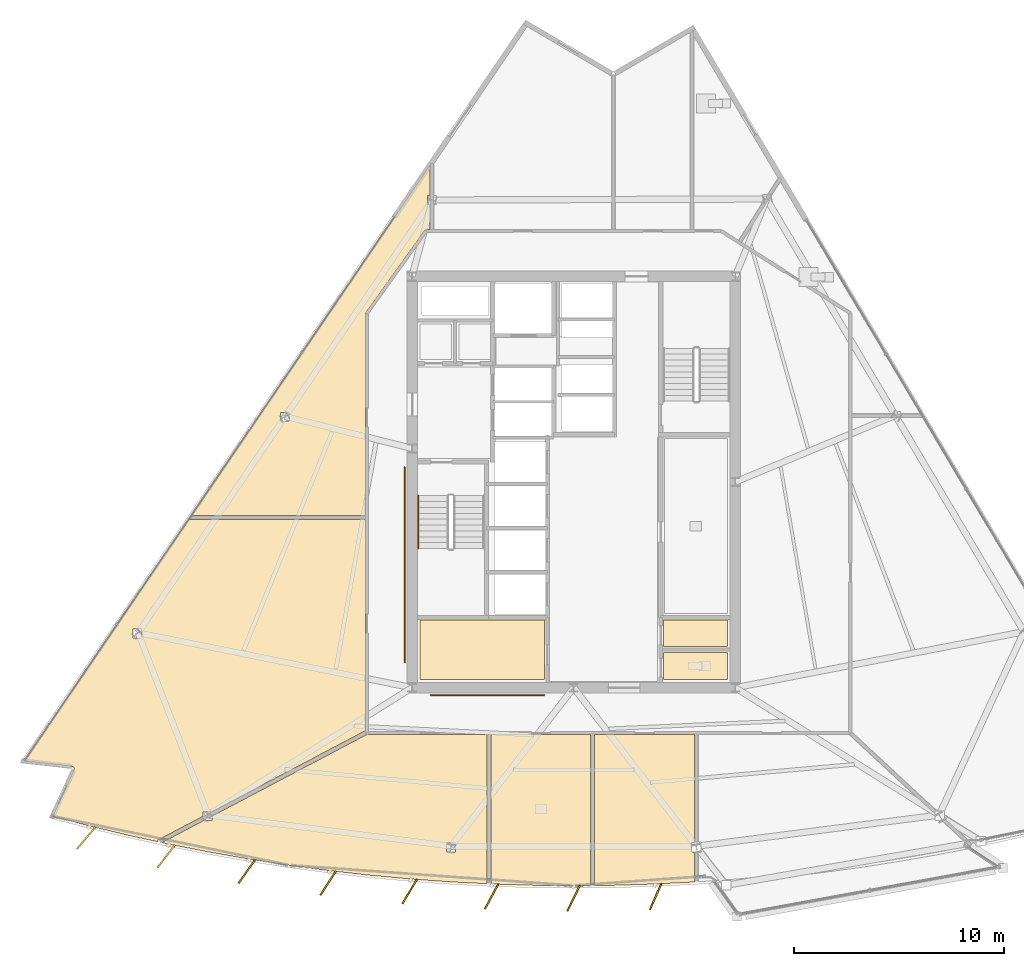
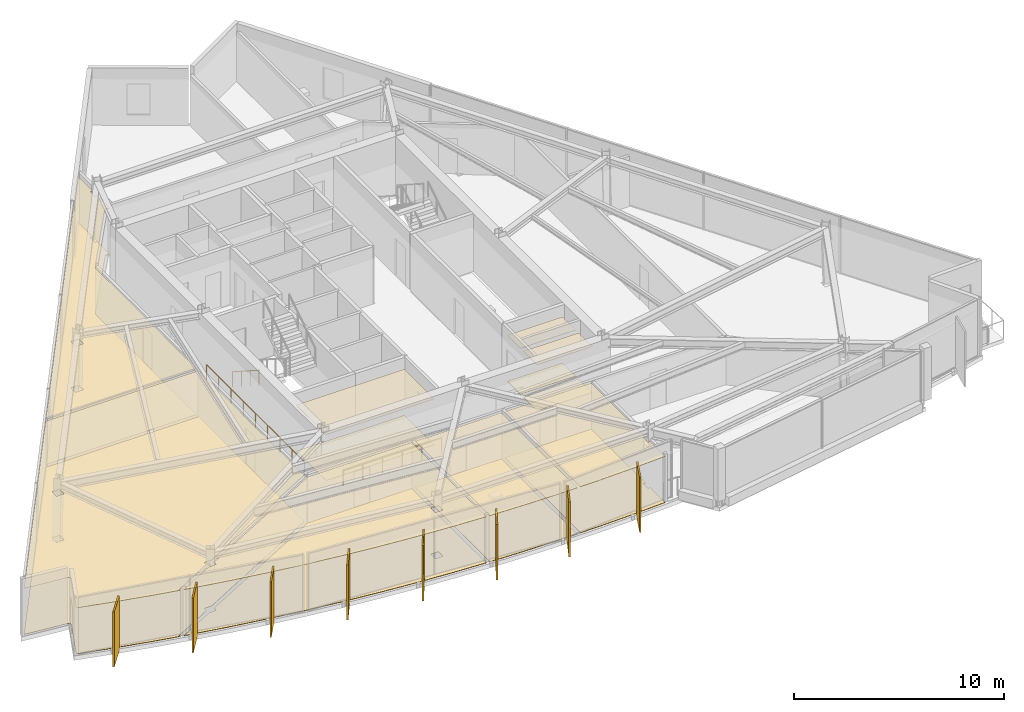
# One storey, part 9 of 12: 16 coverings, 8 shading devices, 3 railings.
"""IFC4 building model written with IfcOpenShell, lengths in metres."""

from ifc_helpers import new_model, si_unit, direction, frame, origin, origin_2d, place, context, subcontext, project, spatial, polyline, rectangle, circle, outline, extrude, material, layer, layer_set, type_object, element, save


model = new_model("IFC4")

# Units and contexts
model_context = context("Model", 3, precision=1e-05, world=origin(), true_north=direction((0.0, 1.0)))
body_context = subcontext(model_context, "Body", "Model", "MODEL_VIEW")
ifc_project = project(units=[si_unit("LENGTHUNIT", "METRE"), si_unit("AREAUNIT", "SQUARE_METRE"), si_unit("VOLUMEUNIT", "CUBIC_METRE"), si_unit("PLANEANGLEUNIT", "RADIAN"), si_unit("MASSUNIT", "GRAM", prefix="KILO")], contexts=[model_context])

# Site, building, storey
site_placement = place(None, origin())
site = spatial("IfcSite", under=ifc_project, at=site_placement, CompositionType="ELEMENT")
building_placement = place(site_placement, origin())
building = spatial("IfcBuilding", under=site, at=building_placement, Name="Savorim Split Tower", CompositionType="ELEMENT")
storey_placement = place(building_placement, frame((0.0, 0.0, 171.0)))
storey = spatial("IfcBuildingStorey", under=building, at=storey_placement, Name="L45", CompositionType="ELEMENT", Elevation=171.0)

# Coverings
ifc_material_1 = material(Name="Mineral Fibre Acoustic Ceiling")
ifc_layer_1 = layer(ifc_material_1, 0.02490234375)
ifc_layer_set_1 = layer_set([ifc_layer_1], Name="COV-CEIL-25")
covering_type_1 = type_object("IfcCoveringType", Name="COV-CEIL-25", PredefinedType="CEILING", material=ifc_layer_set_1)
covering_1_placement = place(storey_placement, frame((0.0, 0.0, 2.669921875)))
element("IfcCovering", 1, at=covering_1_placement, inside=storey, type_object=covering_type_1, Name="L45 Housekeeping Store Acoustic Ceiling", PredefinedType="CEILING", context=body_context, shape_type="SweptSolid", body=[
    extrude(outline(polyline([(-7.320068359375, -6.179931640625), (-7.320068359375, -9.02001953125), (-1.3798828125, -9.02001953125), (-1.3798828125, -6.179931640625), (-7.320068359375, -6.179931640625)])), origin(), (0.0, 0.0, 1.0), 0.025146484375),
])
covering_2_placement = place(storey_placement, frame((0.0, 0.0, 2.669921875)))
element("IfcCovering", 2, at=covering_2_placement, inside=storey, type_object=covering_type_1, Name="L45 Accessible WC Acoustic Ceiling", PredefinedType="CEILING", context=body_context, shape_type="SweptSolid", body=[
    extrude(outline(polyline([(4.280029296875, -7.719970703125), (4.280029296875, -9.02001953125), (7.320068359375, -9.02001953125), (7.320068359375, -7.719970703125), (4.280029296875, -7.719970703125)])), origin(), (0.0, 0.0, 1.0), 0.025146484375),
])
covering_3_placement = place(storey_placement, frame((0.0, 0.0, 2.669921875)))
element("IfcCovering", 3, at=covering_3_placement, inside=storey, type_object=covering_type_1, Name="L45 Cleaning Store Acoustic Ceiling", PredefinedType="CEILING", context=body_context, shape_type="SweptSolid", body=[
    extrude(outline(polyline([(4.280029296875, -6.179931640625), (4.280029296875, -7.43994140625), (7.320068359375, -7.43994140625), (7.320068359375, -6.179931640625), (4.280029296875, -6.179931640625)])), origin(), (0.0, 0.0, 1.0), 0.025146484375),
])
covering_4_placement = place(storey_placement, frame((0.0, 0.0, 2.669921875)))
element("IfcCovering", 4, at=covering_4_placement, inside=storey, type_object=covering_type_1, Name="L45 Maker Workshop Acoustic Ceiling", PredefinedType="CEILING", context=body_context, shape_type="SweptSolid", body=[
    extrude(outline(polyline([(-23.795166015625, -13.255615234375), (-23.794921875, -13.267578125), (-23.7958984375, -13.279541015625), (-23.798095703125, -13.291259765625), (-23.801513671875, -13.302734375), (-23.805908203125, -13.313720703125), (-24.8232421875, -15.528076171875), (-23.080810546875, -15.98388671875), (-21.19140625, -16.436767578125), (-19.791015625, -16.742431640625), (-19.82861328125, -16.67138671875), (-17.662109375, -15.529052734375), (-17.662109375, -15.31591796875), (-17.2578125, -15.31591796875), (-9.94775390625, -11.4619140625), (-9.919921875, -11.447265625), (-9.919921875, -1.384521484375), (-18.339111328125, -1.384521484375), (-26.1669921875, -12.891357421875), (-23.901611328125, -13.144287109375), (-23.889892578125, -13.146484375), (-23.87841796875, -13.1494140625), (-23.8671875, -13.153564453125), (-23.8564453125, -13.158935546875), (-23.84619140625, -13.165283203125), (-23.8369140625, -13.172607421875), (-23.828125, -13.180908203125), (-23.8203125, -13.189697265625), (-23.8134765625, -13.199462890625), (-23.8076171875, -13.2099609375), (-23.802734375, -13.220703125), (-23.799072265625, -13.232177734375), (-23.796630859375, -13.243896484375), (-23.795166015625, -13.255615234375)]), holes=[polyline([(-21.005859375, -7.029296875), (-20.584716796875, -7.029296875), (-20.584716796875, -6.6103515625), (-21.005859375, -6.6103515625), (-21.005859375, -7.029296875)])]), origin(), (0.0, 0.0, 1.0), 0.025146484375),
])
covering_5_placement = place(storey_placement, frame((0.0, 0.0, 2.669921875)))
element("IfcCovering", 5, at=covering_5_placement, inside=storey, type_object=covering_type_1, Name="L45 Maker Workshop Acoustic Ceiling", PredefinedType="CEILING", context=body_context, shape_type="SweptSolid", body=[
    extrude(outline(polyline([(-9.697509765625, -18.33544921875), (-7.7626953125, -18.51416015625), (-5.824951171875, -18.653076171875), (-4.124267578125, -18.740234375), (-4.124267578125, -11.6201171875), (-9.780029296875, -11.6201171875), (-9.793701171875, -11.619384765625), (-9.807373046875, -11.6171875), (-9.820556640625, -11.614013671875), (-9.825439453125, -11.6123046875), (-17.240966796875, -15.52197265625), (-17.240966796875, -15.735107421875), (-17.64501953125, -15.735107421875), (-19.624755859375, -16.77880859375), (-19.29345703125, -16.85107421875), (-17.38720703125, -17.226318359375), (-15.4736328125, -17.5625), (-13.5537109375, -17.859619140625), (-11.6279296875, -18.1171875), (-9.697509765625, -18.33544921875)]), holes=[polyline([(-6.059326171875, -17.224609375), (-5.638427734375, -17.224609375), (-5.638427734375, -16.8056640625), (-6.059326171875, -16.8056640625), (-6.059326171875, -17.224609375)])]), origin(), (0.0, 0.0, 1.0), 0.025146484375),
])
covering_6_placement = place(storey_placement, frame((0.0, 0.0, 2.669921875)))
element("IfcCovering", 6, at=covering_6_placement, inside=storey, type_object=covering_type_1, Name="L45 Shared Kitchen Acoustic Ceiling", PredefinedType="CEILING", context=body_context, shape_type="SweptSolid", body=[
    extrude(outline(polyline([(-3.884765625, -18.75244140625), (-1.942626953125, -18.81201171875), (0.0, -18.83203125), (0.814697265625, -18.82373046875), (0.814697265625, -11.6201171875), (-3.934326171875, -11.6201171875), (-3.934326171875, -18.75), (-3.884765625, -18.75244140625)])), origin(), (0.0, 0.0, 1.0), 0.025146484375),
])
covering_7_placement = place(storey_placement, frame((0.0, 0.0, 2.669921875)))
element("IfcCovering", 7, at=covering_7_placement, inside=storey, type_object=covering_type_1, Name="L45 Co-Living Bedroom Acoustic Ceiling", PredefinedType="CEILING", context=body_context, shape_type="SweptSolid", body=[
    extrude(outline(polyline([(1.0048828125, -11.6201171875), (1.0048828125, -18.82177734375), (1.942626953125, -18.81201171875), (3.884765625, -18.75244140625), (5.75390625, -18.65673828125), (5.75390625, -17.224609375), (5.638427734375, -17.224609375), (5.638427734375, -16.8056640625), (5.75390625, -16.8056640625), (5.75390625, -11.6201171875), (1.0048828125, -11.6201171875)])), origin(), (0.0, 0.0, 1.0), 0.025146484375),
])
covering_8_placement = place(storey_placement, frame((0.0, 0.0, 2.669921875)))
element("IfcCovering", 8, at=covering_8_placement, inside=storey, type_object=covering_type_1, Name="L45 Co-Working Commons Acoustic Ceiling", PredefinedType="CEILING", context=body_context, shape_type="SweptSolid", body=[
    extrude(outline(polyline([(-6.951416015625, 14.049560546875), (-6.835693359375, 14.049560546875), (-6.835693359375, 15.52490234375), (-18.209716796875, -1.194580078125), (-9.919921875, -1.194580078125), (-9.919921875, 8.39990234375), (-9.919189453125, 8.41455078125), (-9.9169921875, 8.4287109375), (-9.913330078125, 8.44287109375), (-9.908203125, 8.456298828125), (-9.901611328125, 8.46923828125), (-9.893798828125, 8.4814453125), (-7.11376953125, 12.361572265625), (-7.105712890625, 12.3720703125), (-7.096435546875, 12.381591796875), (-7.086181640625, 12.39013671875), (-7.075439453125, 12.39794921875), (-7.06396484375, 12.404541015625), (-7.052001953125, 12.409912109375), (-7.039306640625, 12.414306640625), (-7.0263671875, 12.41748046875), (-7.01318359375, 12.41943359375), (-7.0, 12.419921875), (-6.835693359375, 12.419921875), (-6.835693359375, 13.630615234375), (-6.951416015625, 13.630615234375), (-6.951416015625, 14.049560546875)]), holes=[polyline([(-13.978515625, 3.719482421875), (-13.978515625, 3.300537109375), (-13.5576171875, 3.300537109375), (-13.5576171875, 3.719482421875), (-13.978515625, 3.719482421875)])]), origin(), (0.0, 0.0, 1.0), 0.025146484375),
])
ifc_material_2 = material(Name="Porcelain Stoneware Flooring", Category="masonry")
ifc_layer_2 = layer(ifc_material_2, 0.02001953125)
ifc_layer_set_2 = layer_set([ifc_layer_2], Name="COV-FLOR-20")
covering_type_2 = type_object("IfcCoveringType", Name="COV-FLOR-20", PredefinedType="FLOORING", material=ifc_layer_set_2)
covering_9_placement = place(storey_placement, origin())
element("IfcCovering", 9, at=covering_9_placement, inside=storey, type_object=covering_type_2, Name="L45 Housekeeping Store Porcelain Flooring", PredefinedType="FLOORING", context=body_context, shape_type="SweptSolid", body=[
    extrude(outline(polyline([(-7.320068359375, -6.179931640625), (-7.320068359375, -9.02001953125), (-1.3798828125, -9.02001953125), (-1.3798828125, -6.179931640625), (-7.320068359375, -6.179931640625)])), origin(), (0.0, 0.0, 1.0), 0.02001953125),
])
covering_10_placement = place(storey_placement, origin())
element("IfcCovering", 10, at=covering_10_placement, inside=storey, type_object=covering_type_2, Name="L45 Accessible WC Porcelain Flooring", PredefinedType="FLOORING", context=body_context, shape_type="SweptSolid", body=[
    extrude(outline(polyline([(4.280029296875, -7.719970703125), (4.280029296875, -9.02001953125), (7.320068359375, -9.02001953125), (7.320068359375, -7.719970703125), (4.280029296875, -7.719970703125)])), origin(), (0.0, 0.0, 1.0), 0.02001953125),
])
covering_11_placement = place(storey_placement, origin())
element("IfcCovering", 11, at=covering_11_placement, inside=storey, type_object=covering_type_2, Name="L45 Cleaning Store Porcelain Flooring", PredefinedType="FLOORING", context=body_context, shape_type="SweptSolid", body=[
    extrude(outline(polyline([(4.280029296875, -6.179931640625), (4.280029296875, -7.43994140625), (7.320068359375, -7.43994140625), (7.320068359375, -6.179931640625), (4.280029296875, -6.179931640625)])), origin(), (0.0, 0.0, 1.0), 0.02001953125),
])
covering_12_placement = place(storey_placement, origin())
element("IfcCovering", 12, at=covering_12_placement, inside=storey, type_object=covering_type_2, Name="L45 Maker Workshop Porcelain Flooring", PredefinedType="FLOORING", context=body_context, shape_type="SweptSolid", body=[
    extrude(outline(polyline([(-23.795166015625, -13.255615234375), (-23.794921875, -13.267578125), (-23.7958984375, -13.279541015625), (-23.798095703125, -13.291259765625), (-23.801513671875, -13.302734375), (-23.805908203125, -13.313720703125), (-24.8232421875, -15.528076171875), (-23.080810546875, -15.98388671875), (-21.19140625, -16.436767578125), (-19.791015625, -16.742431640625), (-19.82861328125, -16.67138671875), (-17.662109375, -15.529052734375), (-17.662109375, -15.31591796875), (-17.2578125, -15.31591796875), (-9.94775390625, -11.4619140625), (-9.919921875, -11.447265625), (-9.919921875, -1.384521484375), (-18.339111328125, -1.384521484375), (-26.1669921875, -12.891357421875), (-23.901611328125, -13.144287109375), (-23.889892578125, -13.146484375), (-23.87841796875, -13.1494140625), (-23.8671875, -13.153564453125), (-23.8564453125, -13.158935546875), (-23.84619140625, -13.165283203125), (-23.8369140625, -13.172607421875), (-23.828125, -13.180908203125), (-23.8203125, -13.189697265625), (-23.8134765625, -13.199462890625), (-23.8076171875, -13.2099609375), (-23.802734375, -13.220703125), (-23.799072265625, -13.232177734375), (-23.796630859375, -13.243896484375), (-23.795166015625, -13.255615234375)]), holes=[polyline([(-21.005859375, -7.029296875), (-20.584716796875, -7.029296875), (-20.584716796875, -6.6103515625), (-21.005859375, -6.6103515625), (-21.005859375, -7.029296875)])]), origin(), (0.0, 0.0, 1.0), 0.02001953125),
])
covering_13_placement = place(storey_placement, origin())
element("IfcCovering", 13, at=covering_13_placement, inside=storey, type_object=covering_type_2, Name="L45 Maker Workshop Porcelain Flooring", PredefinedType="FLOORING", context=body_context, shape_type="SweptSolid", body=[
    extrude(outline(polyline([(-9.697509765625, -18.33544921875), (-7.7626953125, -18.51416015625), (-5.824951171875, -18.653076171875), (-4.124267578125, -18.740234375), (-4.124267578125, -11.6201171875), (-9.780029296875, -11.6201171875), (-9.793701171875, -11.619384765625), (-9.807373046875, -11.6171875), (-9.820556640625, -11.614013671875), (-9.825439453125, -11.6123046875), (-17.240966796875, -15.52197265625), (-17.240966796875, -15.735107421875), (-17.64501953125, -15.735107421875), (-19.624755859375, -16.77880859375), (-19.29345703125, -16.85107421875), (-17.38720703125, -17.226318359375), (-15.4736328125, -17.5625), (-13.5537109375, -17.859619140625), (-11.6279296875, -18.1171875), (-9.697509765625, -18.33544921875)]), holes=[polyline([(-6.059326171875, -17.224609375), (-5.638427734375, -17.224609375), (-5.638427734375, -16.8056640625), (-6.059326171875, -16.8056640625), (-6.059326171875, -17.224609375)])]), origin(), (0.0, 0.0, 1.0), 0.02001953125),
])
covering_14_placement = place(storey_placement, origin())
element("IfcCovering", 14, at=covering_14_placement, inside=storey, type_object=covering_type_2, Name="L45 Shared Kitchen Porcelain Flooring", PredefinedType="FLOORING", context=body_context, shape_type="SweptSolid", body=[
    extrude(outline(polyline([(-3.884765625, -18.75244140625), (-1.942626953125, -18.81201171875), (0.0, -18.83203125), (0.814697265625, -18.82373046875), (0.814697265625, -11.6201171875), (-3.934326171875, -11.6201171875), (-3.934326171875, -18.75), (-3.884765625, -18.75244140625)])), origin(), (0.0, 0.0, 1.0), 0.02001953125),
])
covering_15_placement = place(storey_placement, origin())
element("IfcCovering", 15, at=covering_15_placement, inside=storey, type_object=covering_type_2, Name="L45 Co-Living Bedroom Porcelain Flooring", PredefinedType="FLOORING", context=body_context, shape_type="SweptSolid", body=[
    extrude(outline(polyline([(1.0048828125, -11.6201171875), (1.0048828125, -18.82177734375), (1.942626953125, -18.81201171875), (3.884765625, -18.75244140625), (5.75390625, -18.65673828125), (5.75390625, -17.224609375), (5.638427734375, -17.224609375), (5.638427734375, -16.8056640625), (5.75390625, -16.8056640625), (5.75390625, -11.6201171875), (1.0048828125, -11.6201171875)])), origin(), (0.0, 0.0, 1.0), 0.02001953125),
])
covering_16_placement = place(storey_placement, origin())
element("IfcCovering", 16, at=covering_16_placement, inside=storey, type_object=covering_type_2, Name="L45 Co-Working Commons Porcelain Flooring", PredefinedType="FLOORING", context=body_context, shape_type="SweptSolid", body=[
    extrude(outline(polyline([(-6.951416015625, 14.049560546875), (-6.835693359375, 14.049560546875), (-6.835693359375, 15.52490234375), (-18.209716796875, -1.194580078125), (-9.919921875, -1.194580078125), (-9.919921875, 8.39990234375), (-9.919189453125, 8.41455078125), (-9.9169921875, 8.4287109375), (-9.913330078125, 8.44287109375), (-9.908203125, 8.456298828125), (-9.901611328125, 8.46923828125), (-9.893798828125, 8.4814453125), (-7.11376953125, 12.361572265625), (-7.105712890625, 12.3720703125), (-7.096435546875, 12.381591796875), (-7.086181640625, 12.39013671875), (-7.075439453125, 12.39794921875), (-7.06396484375, 12.404541015625), (-7.052001953125, 12.409912109375), (-7.039306640625, 12.414306640625), (-7.0263671875, 12.41748046875), (-7.01318359375, 12.41943359375), (-7.0, 12.419921875), (-6.835693359375, 12.419921875), (-6.835693359375, 13.630615234375), (-6.951416015625, 13.630615234375), (-6.951416015625, 14.049560546875)]), holes=[polyline([(-13.978515625, 3.719482421875), (-13.978515625, 3.300537109375), (-13.5576171875, 3.300537109375), (-13.5576171875, 3.719482421875), (-13.978515625, 3.719482421875)])]), origin(), (0.0, 0.0, 1.0), 0.02001953125),
])

# Railings
ifc_material_3 = material(Name="Galvanised Painted Steel Balustrade", Category="steel")
railing_type = type_object("IfcRailingType", Name="RLG-HR-900", PredefinedType="HANDRAIL", material=ifc_material_3)
railing_1_placement = place(storey_placement, frame((-7.39990234375, -0.25, 0.179931640625)))
element("IfcRailing", 17, at=railing_1_placement, inside=storey, type_object=railing_type, Name="L45 ST-1 stair handrail 1", PredefinedType="HANDRAIL", context=body_context, shape_type="SweptSolid", body=[
    extrude(circle(Radius=0.02392578125, at=origin_2d()), frame((0.0, 0.0, 0.8759765625), z_axis=(0.0, -0.841162588446, 0.540782303519), x_axis=(1.0, 0.0, 0.0)), (0.0, 0.0, 1.0), 2.995849609375),
    extrude(circle(Radius=0.02099609375, at=origin_2d()), origin(), (0.0, 0.0, 1.0), 0.851806640625),
    extrude(circle(Radius=0.02099609375, at=origin_2d()), frame((0.0, -0.840087890625, 0.5400390625)), (0.0, 0.0, 1.0), 0.851806640625),
    extrude(circle(Radius=0.02099609375, at=origin_2d()), frame((0.0, -1.679931640625, 1.080078125)), (0.0, 0.0, 1.0), 0.851806640625),
    extrude(circle(Radius=0.02099609375, at=origin_2d()), frame((0.0, -2.52001953125, 1.6201171875)), (0.0, 0.0, 1.0), 0.851806640625),
])
railing_2_placement = place(storey_placement, frame((-6.800048828125, -9.75, 0.0)))
element("IfcRailing", 18, at=railing_2_placement, inside=storey, type_object=railing_type, Name="L45 Corridor South Accessible Handrail", PredefinedType="HANDRAIL", context=body_context, shape_type="SweptSolid", body=[
    extrude(circle(Radius=0.02392578125, at=origin_2d()), frame((0.0, 0.0, 0.8759765625), z_axis=(1.0, 0.0, 0.0), x_axis=(0.0, 1.0, 0.0)), (0.0, 0.0, 1.0), 5.400146484375),
    extrude(circle(Radius=0.02099609375, at=origin_2d()), origin(), (0.0, 0.0, 1.0), 0.851806640625),
    extrude(circle(Radius=0.02099609375, at=origin_2d()), frame((1.080078125, 0.0, 0.0)), (0.0, 0.0, 1.0), 0.851806640625),
    extrude(circle(Radius=0.02099609375, at=origin_2d()), frame((2.16015625, 0.0, 0.0)), (0.0, 0.0, 1.0), 0.851806640625),
    extrude(circle(Radius=0.02099609375, at=origin_2d()), frame((3.239990234375, 0.0, 0.0)), (0.0, 0.0, 1.0), 0.851806640625),
    extrude(circle(Radius=0.02099609375, at=origin_2d()), frame((4.320068359375, 0.0, 0.0)), (0.0, 0.0, 1.0), 0.851806640625),
    extrude(circle(Radius=0.02099609375, at=origin_2d()), frame((5.400146484375, 0.0, 0.0)), (0.0, 0.0, 1.0), 0.851806640625),
])
railing_3_placement = place(storey_placement, frame((-8.050048828125, -8.199951171875, 0.0)))
element("IfcRailing", 19, at=railing_3_placement, inside=storey, type_object=railing_type, Name="L45 Corridor West Accessible Handrail", PredefinedType="HANDRAIL", context=body_context, shape_type="SweptSolid", body=[
    extrude(circle(Radius=0.02392578125, at=origin_2d()), frame((0.0, 0.0, 0.8759765625), z_axis=(0.0, 1.0, 0.0), x_axis=(-1.0, 0.0, 0.0)), (0.0, 0.0, 1.0), 9.300048828125),
    extrude(circle(Radius=0.02099609375, at=origin_2d()), origin(), (0.0, 0.0, 1.0), 0.851806640625),
    extrude(circle(Radius=0.02099609375, at=origin_2d()), frame((0.0, 1.16259765625, 0.0)), (0.0, 0.0, 1.0), 0.851806640625),
    extrude(circle(Radius=0.02099609375, at=origin_2d()), frame((0.0, 2.324951171875, 0.0)), (0.0, 0.0, 1.0), 0.851806640625),
    extrude(circle(Radius=0.02099609375, at=origin_2d()), frame((0.0, 3.487548828125, 0.0)), (0.0, 0.0, 1.0), 0.851806640625),
    extrude(circle(Radius=0.02099609375, at=origin_2d()), frame((0.0, 4.64990234375, 0.0)), (0.0, 0.0, 1.0), 0.851806640625),
    extrude(circle(Radius=0.02099609375, at=origin_2d()), frame((0.0, 5.8125, 0.0)), (0.0, 0.0, 1.0), 0.851806640625),
    extrude(circle(Radius=0.02099609375, at=origin_2d()), frame((0.0, 6.97509765625, 0.0)), (0.0, 0.0, 1.0), 0.851806640625),
    extrude(circle(Radius=0.02099609375, at=origin_2d()), frame((0.0, 8.137451171875, 0.0)), (0.0, 0.0, 1.0), 0.851806640625),
    extrude(circle(Radius=0.02099609375, at=origin_2d()), frame((0.0, 9.300048828125, 0.0)), (0.0, 0.0, 1.0), 0.851806640625),
])

# Shading devices
ifc_material_4 = material(Name="Terracotta Ceramic-Coated Aluminium Fin", Category="masonry")
shading_device_type = type_object("IfcShadingDeviceType", Name="SHD-FIN-1360", PredefinedType="USERDEFINED", material=ifc_material_4)
for number, where, z_axis, x_axis, name in (
    (20, (-23.2255859375, -16.56201171875, -0.2001953125), (0.0, 0.0, 1.0), (-0.643719022682, -0.765261928909, 0.0), "L45 Sawtooth Shading Fin 01"),
    (21, (-19.41455078125, -17.4345703125, -0.2001953125), (0.0, 0.0, 1.0), (-0.611868076908, -0.790959832394, 0.0), "L45 Sawtooth Shading Fin 02"),
    (22, (-15.57080078125, -18.150634765625, -0.2001953125), (0.0, 0.0, 1.0), (-0.578993757737, -0.815331974414, 0.0), "L45 Sawtooth Shading Fin 03"),
    (23, (-11.700927734375, -18.708740234375, -0.2001953125), (0.0, 0.0, 1.0), (-0.545148321708, -0.838339613366, 0.0), "L45 Sawtooth Shading Fin 04"),
    (24, (-7.8115234375, -19.108154296875, -0.2001953125), (0.0, 0.0, 1.0), (-0.510391336723, -0.859942255851, 0.0), "L45 Sawtooth Shading Fin 05"),
    (25, (-3.908935546875, -19.347900390625, -0.2001953125), (0.0, 0.0, 1.0), (-0.474778051978, -0.880105562623, 0.0), "L45 Sawtooth Shading Fin 06"),
    (26, (0.0, -19.427978515625, -0.2001953125), (0.0, 0.0, 1.0), (-0.438371146789, -0.898794046299, 0.0), "L45 Sawtooth Shading Fin 07"),
    (27, (3.908935546875, -19.347900390625, -0.2001953125), (0.0, 0.0, 1.0), (-0.401230091723, -0.915977299662, 0.0), "L45 Sawtooth Shading Fin 08"),
):
    element("IfcShadingDevice", number, at=place(storey_placement, frame(where, z_axis=z_axis, x_axis=x_axis)), inside=storey, type_object=shading_device_type, Name=name, ObjectType="FIN", PredefinedType="USERDEFINED", context=body_context, shape_type="SweptSolid", body=[
        extrude(rectangle(XDim=1.360107421875, YDim=0.080078125, at=origin_2d()), origin(), (0.0, 0.0, 1.0), 3.199951171875),
    ])

save(model, "model.ifc")
